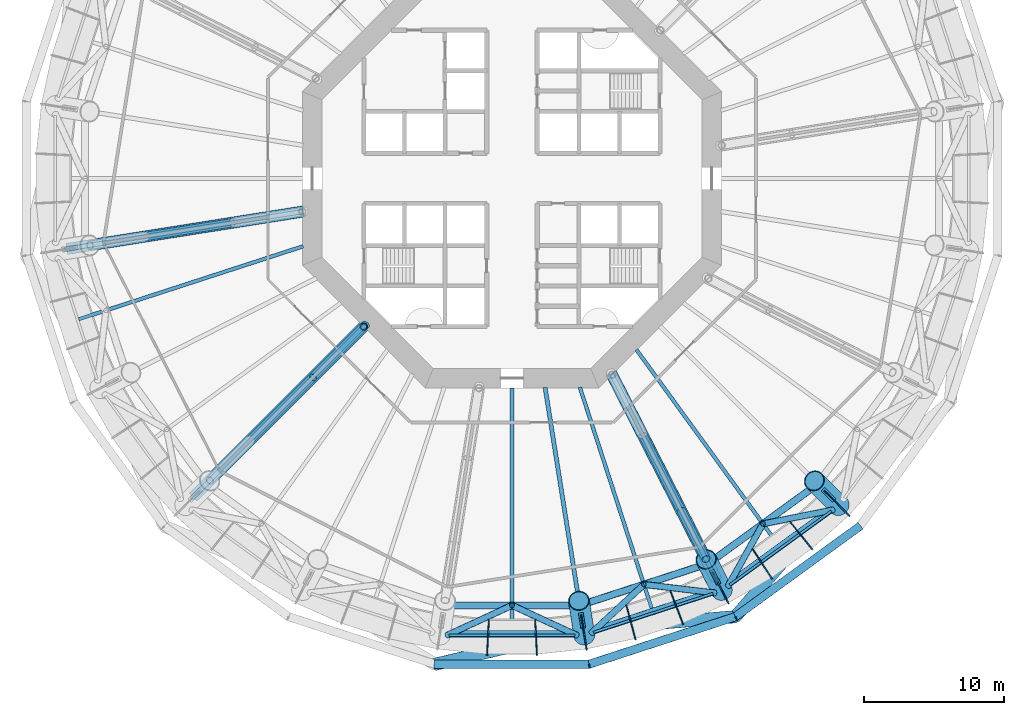
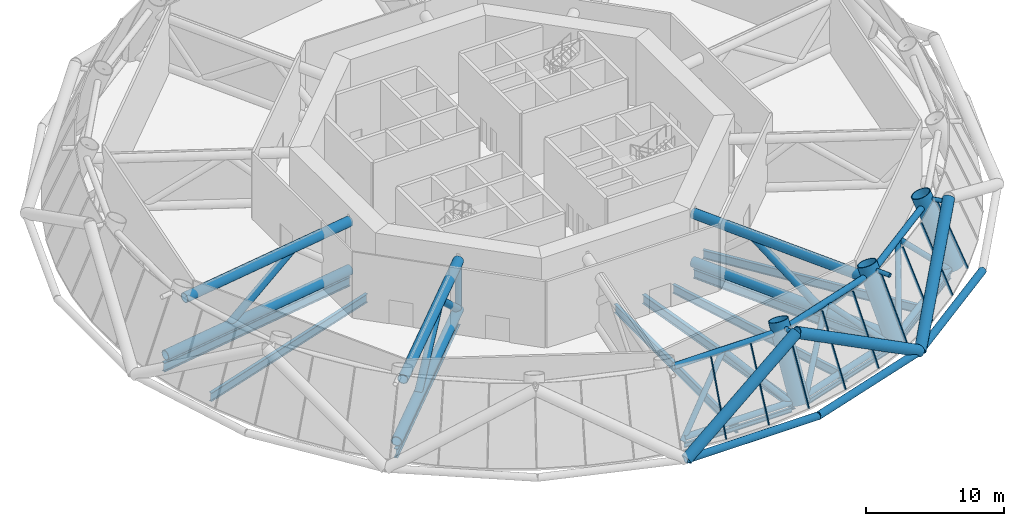
# One storey, part 2 of 14: 45 members, 11 beams, 4 elements without a shape of their own.
"""IFC4 building model written with IfcOpenShell, lengths in metres."""

from ifc_helpers import new_model, si_unit, direction, frame, origin, origin_2d, place, context, subcontext, project, spatial, rectangle, circle, hollow_circle, i_section, extrude, material, layer, layer_set, material_profile, profile_set, type_object, element, aggregate, save


model = new_model("IFC4")

# Units and contexts
model_context = context("Model", 3, precision=1e-05, world=origin(), true_north=direction((0.0, 1.0)))
body_context = subcontext(model_context, "Body", "Model", "MODEL_VIEW")
ifc_project = project(units=[si_unit("LENGTHUNIT", "METRE"), si_unit("AREAUNIT", "SQUARE_METRE"), si_unit("VOLUMEUNIT", "CUBIC_METRE"), si_unit("PLANEANGLEUNIT", "RADIAN"), si_unit("MASSUNIT", "GRAM", prefix="KILO")], contexts=[model_context])

# Site, building, storey
site_placement = place(None, origin())
site = spatial("IfcSite", under=ifc_project, at=site_placement, CompositionType="ELEMENT")
building_placement = place(site_placement, origin())
building = spatial("IfcBuilding", under=site, at=building_placement, Name="Entoto Ring Tower", CompositionType="ELEMENT")
storey_placement = place(building_placement, frame((0.0, 0.0, 74.0)))
storey = spatial("IfcBuildingStorey", under=building, at=storey_placement, Name="L16", CompositionType="ELEMENT", Elevation=74.0)

# Members
ifc_material_1 = material(Name="Steel S355", Category="steel")
ifc_material_profile_1 = material_profile(ifc_material_1, hollow_circle(Radius=0.449951171875, WallThickness=0.044921875, at=origin_2d()), Name="CHS 900 x 45")
ifc_material_2 = material(Name="Concrete C60/75", Category="concrete")
ifc_material_profile_2 = material_profile(ifc_material_2, circle(Radius=0.405029296875, at=origin_2d()), Name="Concrete C60/75 infill")
ifc_profile_set_1 = profile_set([ifc_material_profile_1, ifc_material_profile_2], Name="Steel S355")
member_type_1 = type_object("IfcMemberType", Name="Diagrid diagonal 900 x 45 concrete-filled tube", PredefinedType="BRACE", material=ifc_profile_set_1)
member_1_placement = place(storey_placement, frame((84.493408203125, 45.2333984375, 0.0), z_axis=(0.853390289962, 0.198381662974, 0.482047434175), x_axis=(-0.226425575464, 0.974028469181, 0.0)))
element("IfcMember", 1, at=member_1_placement, inside=storey, type_object=member_type_1, Name="DG2 module 5 16", PredefinedType="BRACE", context=body_context, shape_type="SweptSolid", body=[
    extrude(hollow_circle(Radius=0.449951171875, WallThickness=0.044921875, at=origin_2d()), origin(), (0.0, 0.0, 1.0), 12.447021484375),
])
for number, where, z_axis, x_axis, name in (
    (2, (105.98046875, 48.636474609375, 0.0), (-0.872922129867, -0.075027012712, 0.482055912267), (0.08563354455, -0.996326701463, 0.0), "DG2 module 5 17"),
    (3, (105.98046875, 48.636474609375, 0.0), (0.573788432045, 0.662113366564, 0.482050542027), (-0.755713458536, 0.654902411499, 0.0), "DG2 module 5 18"),
):
    element("IfcMember", number, at=place(storey_placement, frame(where, z_axis=z_axis, x_axis=x_axis)), inside=storey, type_object=member_type_1, Name=name, PredefinedType="BRACE", context=body_context, shape_type="SweptSolid", body=[
        extrude(hollow_circle(Radius=0.449951171875, WallThickness=0.044921875, at=origin_2d()), origin(), (0.0, 0.0, 1.0), 12.44677734375),
    ])
ifc_material_3 = material(Name="Steel S355", Category="steel")
ifc_material_profile_3 = material_profile(ifc_material_3, hollow_circle(Radius=0.177734375, WallThickness=0.01611328125, at=origin_2d()), Name="CHS 355.6 x 16")
ifc_material_4 = material(Name="Concrete C60/75", Category="concrete")
ifc_material_profile_4 = material_profile(ifc_material_4, circle(Radius=0.161865234375, at=origin_2d()), Name="Concrete C60/75 infill")
ifc_profile_set_2 = profile_set([ifc_material_profile_3, ifc_material_profile_4], Name="Steel S355")
member_type_2 = type_object("IfcMemberType", Name="Diagrid node strut 355.6 x 16", PredefinedType="STRUT", material=ifc_profile_set_2)
for number, where, z_axis, x_axis, name in (
    (4, (94.92236328125, 48.9208984375, 5.672119140625), (0.156570806263, -0.98766673662, 0.0), (0.98766673662, 0.156570806263, 0.0), "DS1 strut ring 5 15"),
    (5, (104.28564453125, 51.963134765625, 5.672119140625), (0.453835432876, -0.891085517707, 0.0), (0.891085517707, 0.453835432876, 0.0), "DS1 strut ring 5 16"),
    (6, (112.250244140625, 57.749755859375, 5.672119140625), (0.707106781187, -0.707106781187, 0.0), (0.707106781187, 0.707106781187, 0.0), "DS1 strut ring 5 17"),
):
    element("IfcMember", number, at=place(storey_placement, frame(where, z_axis=z_axis, x_axis=x_axis)), inside=storey, type_object=member_type_2, Name=name, PredefinedType="STRUT", context=body_context, shape_type="SweptSolid", body=[
        extrude(hollow_circle(Radius=0.177734375, WallThickness=0.01611328125, at=origin_2d()), origin(), (0.0, 0.0, 1.0), 1.133544921875),
    ])
ifc_material_5 = material(Name="Steel S355", Category="steel")
ifc_material_profile_5 = material_profile(ifc_material_5, hollow_circle(Radius=0.300048828125, WallThickness=0.030029296875, at=origin_2d()), Name="CHS 600 x 30")
ifc_material_6 = material(Name="Concrete C60/75", Category="concrete")
ifc_material_profile_6 = material_profile(ifc_material_6, circle(Radius=0.27001953125, at=origin_2d()), Name="Concrete C60/75 infill")
ifc_profile_set_3 = profile_set([ifc_material_profile_5, ifc_material_profile_6], Name="Steel S355")
member_type_3 = type_object("IfcMemberType", Name="Diagrid ring beam 600 x 30", PredefinedType="CHORD", material=ifc_profile_set_3)
for number, where, z_axis, x_axis, name in (
    (7, (84.426025390625, 45.2333984375, 0.0), (1.0, 0.0, 0.0), (0.0, 1.0, 0.0), "DR1 ring 4 15"),
    (8, (95.4423828125, 45.21240234375, 0.0), (0.951051931315, 0.309031105137, 0.0), (-0.309031105137, 0.951051931315, 0.0), "DR1 ring 4 16"),
    (9, (105.92578125, 48.596923828125, 0.0), (0.809026721692, 0.587771863556, 0.0), (-0.587771863556, 0.809026721692, 0.0), "DR1 ring 4 17"),
):
    element("IfcMember", number, at=place(storey_placement, frame(where, z_axis=z_axis, x_axis=x_axis)), inside=storey, type_object=member_type_3, Name=name, PredefinedType="CHORD", context=body_context, shape_type="SweptSolid", body=[
        extrude(hollow_circle(Radius=0.300048828125, WallThickness=0.030029296875, at=origin_2d()), origin(), (0.0, 0.0, 1.0), 11.14794921875),
    ])

# Beams
ifc_material_7 = material(Name="Steel S355", Category="steel")
ifc_material_profile_7 = material_profile(ifc_material_7, i_section(OverallWidth=0.179931640625, OverallDepth=0.39990234375, WebThickness=0.008544921875, FlangeThickness=0.013427734375, FilletRadius=0.02099609375, at=origin_2d()), Name="IPE 400")
ifc_profile_set_4 = profile_set([ifc_material_profile_7], Name="Steel S355")
beam_type_1 = type_object("IfcBeamType", Name="Edge beam IPE 400", PredefinedType="SPANDREL", material=ifc_profile_set_4)
for number, where, z_axis, x_axis, name in (
    (10, (85.49609375, 47.3076171875, -0.35009765625), (1.0, 0.0, 0.0), (0.0, 1.0, 0.0), "Edge beam L16 15"),
    (11, (95.819091796875, 47.515869140625, -0.35009765625), (0.951059958455, 0.309006400295, 0.0), (-0.309006400295, 0.951059958455, 0.0), "Edge beam L16 16"),
    (12, (105.572509765625, 50.90380859375, -0.35009765625), (0.80901142547, 0.587792917156, 0.0), (-0.587792917156, 0.80901142547, 0.0), "Edge beam L16 17"),
):
    element("IfcBeam", number, at=place(storey_placement, frame(where, z_axis=z_axis, x_axis=x_axis)), inside=storey, type_object=beam_type_1, Name=name, PredefinedType="SPANDREL", context=body_context, shape_type="SweptSolid", body=[
        extrude(i_section(OverallWidth=0.179931640625, OverallDepth=0.39990234375, WebThickness=0.008544921875, FlangeThickness=0.013427734375, FilletRadius=0.02099609375, at=origin_2d()), origin(), (0.0, 0.0, 1.0), 9.0078125),
    ])

# Curtain wall, members
ifc_material_8 = material(Name="Anodised aluminium", Category="aluminium")
ifc_layer = layer(ifc_material_8, 0.10009765625)
ifc_layer_set = layer_set([ifc_layer], Name="Anodised aluminium")
curtain_wall_type = type_object("IfcCurtainWallType", Name="Louvre curtain wall system CW7", PredefinedType="NOTDEFINED", material=ifc_layer_set)
curtain_wall_1_placement = place(storey_placement, origin())
curtain_wall_1 = element("IfcCurtainWall", 13, at=curtain_wall_1_placement, inside=storey, type_object=curtain_wall_type, Name="CW7 L16-15", PredefinedType="NOTDEFINED")
ifc_material_9 = material(Name="Anodised aluminium", Category="aluminium")
ifc_material_profile_8 = material_profile(ifc_material_9, rectangle(XDim=0.080078125, YDim=0.199951171875, at=origin_2d()), Name="Mullion 80 x 200 mm anodised aluminium")
ifc_profile_set_5 = profile_set([ifc_material_profile_8], Name="Anodised aluminium")
member_type_4 = type_object("IfcMemberType", Name="Mullion 80 x 200 mm anodised aluminium", PredefinedType="MULLION", material=ifc_profile_set_5)
member_2_placement = place(storey_placement, frame((88.2158203125, 45.954345703125, 0.03857421875), z_axis=(0.020104239044, 0.384088559131, 0.923077352293), x_axis=(-0.998632928395, 0.052271161513, 0.0)))
member_2 = element("IfcMember", 14, at=member_2_placement, type_object=member_type_4, Name="MULLION L16-43", PredefinedType="MULLION", context=body_context, shape_type="SweptSolid", body=[
    extrude(rectangle(XDim=0.080078125, YDim=0.199951171875, at=origin_2d()), origin(), (0.0, 0.0, 1.0), 6.25390625),
])
member_3_placement = place(storey_placement, frame((91.7841796875, 45.954345703125, 0.03857421875), z_axis=(-0.020104239044, 0.384088559131, 0.923077352293), x_axis=(-0.998632928395, -0.052271161513, 0.0)))
member_3 = element("IfcMember", 15, at=member_3_placement, type_object=member_type_4, Name="MULLION L16-44", PredefinedType="MULLION", context=body_context, shape_type="SweptSolid", body=[
    extrude(rectangle(XDim=0.080078125, YDim=0.199951171875, at=origin_2d()), origin(), (0.0, 0.0, 1.0), 6.25390625),
])
aggregate(curtain_wall_1, [member_2, member_3])

curtain_wall_2_placement = place(storey_placement, origin())
curtain_wall_2 = element("IfcCurtainWall", 16, at=curtain_wall_2_placement, inside=storey, type_object=curtain_wall_type, Name="CW7 L16-16", PredefinedType="NOTDEFINED")
member_4_placement = place(storey_placement, frame((95.333251953125, 46.327392578125, 0.03857421875), z_axis=(-0.060155863708, 0.379907115901, 0.923066549794), x_axis=(-0.98769457101, -0.15639512268, 0.0)))
member_4 = element("IfcMember", 17, at=member_4_placement, type_object=member_type_4, Name="MULLION L16-45", PredefinedType="MULLION", context=body_context, shape_type="SweptSolid", body=[
    extrude(rectangle(XDim=0.080078125, YDim=0.199951171875, at=origin_2d()), origin(), (0.0, 0.0, 1.0), 6.254150390625),
])
member_5_placement = place(storey_placement, frame((98.82373046875, 47.0693359375, 0.03857421875), z_axis=(-0.099544909119, 0.371517215719, 0.923074086676), x_axis=(-0.965927664957, -0.258812183003, 0.0)))
member_5 = element("IfcMember", 18, at=member_5_placement, type_object=member_type_4, Name="MULLION L16-46", PredefinedType="MULLION", context=body_context, shape_type="SweptSolid", body=[
    extrude(rectangle(XDim=0.080078125, YDim=0.199951171875, at=origin_2d()), origin(), (0.0, 0.0, 1.0), 6.254150390625),
])
member_6_placement = place(storey_placement, frame((102.217529296875, 48.172119140625, 0.03857421875), z_axis=(-0.137840906866, 0.359065607861, 0.92307733893), x_axis=(-0.933573002991, -0.358387287841, 0.0)))
member_6 = element("IfcMember", 19, at=member_6_placement, type_object=member_type_4, Name="MULLION L16-47", PredefinedType="MULLION", context=body_context, shape_type="SweptSolid", body=[
    extrude(rectangle(XDim=0.080078125, YDim=0.199951171875, at=origin_2d()), origin(), (0.0, 0.0, 1.0), 6.25390625),
])
aggregate(curtain_wall_2, [member_4, member_5, member_6])

curtain_wall_3_placement = place(storey_placement, origin())
curtain_wall_3 = element("IfcCurtainWall", 20, at=curtain_wall_3_placement, inside=storey, type_object=curtain_wall_type, Name="CW7 L16-17", PredefinedType="NOTDEFINED")
member_7_placement = place(storey_placement, frame((105.4775390625, 49.62353515625, 0.03857421875), z_axis=(-0.174613111757, 0.342707021712, 0.923072130698), x_axis=(-0.891011611713, -0.453980514773, 0.0)))
member_7 = element("IfcMember", 21, at=member_7_placement, type_object=member_type_4, Name="MULLION L16-48", PredefinedType="MULLION", context=body_context, shape_type="SweptSolid", body=[
    extrude(rectangle(XDim=0.080078125, YDim=0.199951171875, at=origin_2d()), origin(), (0.0, 0.0, 1.0), 6.254150390625),
])
member_8_placement = place(storey_placement, frame((108.568115234375, 51.40771484375, 0.03857421875), z_axis=(-0.20951178694, 0.322563051143, 0.923069818145), x_axis=(-0.838626753611, -0.544706497232, 0.0)))
member_8 = element("IfcMember", 22, at=member_8_placement, type_object=member_type_4, Name="MULLION L16-49", PredefinedType="MULLION", context=body_context, shape_type="SweptSolid", body=[
    extrude(rectangle(XDim=0.080078125, YDim=0.199951171875, at=origin_2d()), origin(), (0.0, 0.0, 1.0), 6.254150390625),
])
member_9_placement = place(storey_placement, frame((111.455078125, 53.50537109375, 0.03857421875), z_axis=(-0.24206864184, 0.298906561936, 0.923069683106), x_axis=(-0.777121953601, -0.629350037127, 0.0)))
member_9 = element("IfcMember", 23, at=member_9_placement, type_object=member_type_4, Name="MULLION L16-50", PredefinedType="MULLION", context=body_context, shape_type="SweptSolid", body=[
    extrude(rectangle(XDim=0.080078125, YDim=0.199951171875, at=origin_2d()), origin(), (0.0, 0.0, 1.0), 6.254150390625),
])
aggregate(curtain_wall_3, [member_7, member_8, member_9])

# Curtain wall, member
curtain_wall_4_placement = place(storey_placement, origin())
curtain_wall_4 = element("IfcCurtainWall", 24, at=curtain_wall_4_placement, inside=storey, type_object=curtain_wall_type, Name="CW7 L16-18", PredefinedType="NOTDEFINED")
member_10_placement = place(storey_placement, frame((114.10693359375, 55.89306640625, 0.03857421875), z_axis=(-0.271971811529, 0.271971811529, 0.923072406405), x_axis=(-0.707106781187, -0.707106781187, 0.0)))
member_10 = element("IfcMember", 25, at=member_10_placement, type_object=member_type_4, Name="MULLION L16-51", PredefinedType="MULLION", context=body_context, shape_type="SweptSolid", body=[
    extrude(rectangle(XDim=0.080078125, YDim=0.199951171875, at=origin_2d()), origin(), (0.0, 0.0, 1.0), 6.254150390625),
])
aggregate(curtain_wall_4, [member_10])

# Members
ifc_material_10 = material(Name="Steel S355", Category="steel")
ifc_material_profile_9 = material_profile(ifc_material_10, hollow_circle(Radius=0.406494140625, WallThickness=0.044921875, at=origin_2d()), Name="CHS 813 x 45")
ifc_material_11 = material(Name="Concrete C60/75", Category="concrete")
ifc_material_profile_10 = material_profile(ifc_material_11, circle(Radius=0.361572265625, at=origin_2d()), Name="Concrete C60/75 infill")
ifc_profile_set_6 = profile_set([ifc_material_profile_9, ifc_material_profile_10], Name="Steel S355")
member_type_5 = type_object("IfcMemberType", Name="Outrigger chord 813 x 45", PredefinedType="CHORD", material=ifc_profile_set_6)
member_11_placement = place(storey_placement, frame((75.083251953125, 77.637451171875, 0.406494140625), z_axis=(-0.987687660853, -0.156438756703, 0.0), x_axis=(0.156438756703, -0.987687660853, 0.0)))
element("IfcMember", 26, at=member_11_placement, inside=storey, type_object=member_type_5, Name="OR1A L16 bottom 06", PredefinedType="CHORD", context=body_context, shape_type="SweptSolid", body=[
    extrude(hollow_circle(Radius=0.406494140625, WallThickness=0.044921875, at=origin_2d()), origin(), (0.0, 0.0, 1.0), 17.165283203125),
])
member_12_placement = place(storey_placement, frame((75.083251953125, 77.637451171875, 4.6904296875), z_axis=(-0.987688332369, -0.156434516979, 0.0), x_axis=(0.156434516979, -0.987688332369, 0.0)))
element("IfcMember", 27, at=member_12_placement, inside=storey, type_object=member_type_5, Name="OR1A L16 top 06", PredefinedType="CHORD", context=body_context, shape_type="SweptSolid", body=[
    extrude(hollow_circle(Radius=0.406494140625, WallThickness=0.044921875, at=origin_2d()), origin(), (0.0, 0.0, 1.0), 15.38037109375),
])
member_13_placement = place(storey_placement, frame((79.407470703125, 69.407470703125, 0.406494140625), z_axis=(-0.707106781187, -0.707106781187, 0.0), x_axis=(0.707106781187, -0.707106781187, 0.0)))
element("IfcMember", 28, at=member_13_placement, inside=storey, type_object=member_type_5, Name="OR1A L16 bottom 07", PredefinedType="CHORD", context=body_context, shape_type="SweptSolid", body=[
    extrude(hollow_circle(Radius=0.406494140625, WallThickness=0.044921875, at=origin_2d()), origin(), (0.0, 0.0, 1.0), 17.287841796875),
])
member_14_placement = place(storey_placement, frame((79.407470703125, 69.407470703125, 4.6904296875), z_axis=(-0.707106781187, -0.707106781187, 0.0), x_axis=(0.707106781187, -0.707106781187, 0.0)))
element("IfcMember", 29, at=member_14_placement, inside=storey, type_object=member_type_5, Name="OR1A L16 top 07", PredefinedType="CHORD", context=body_context, shape_type="SweptSolid", body=[
    extrude(hollow_circle(Radius=0.406494140625, WallThickness=0.044921875, at=origin_2d()), origin(), (0.0, 0.0, 1.0), 15.5029296875),
])
member_15_placement = place(storey_placement, frame((97.09130859375, 66.08251953125, 0.406494140625), z_axis=(0.453993442205, -0.891005024921, 0.0), x_axis=(0.891005024921, 0.453993442205, 0.0)))
element("IfcMember", 30, at=member_15_placement, inside=storey, type_object=member_type_5, Name="OR1A L16 bottom 09", PredefinedType="CHORD", context=body_context, shape_type="SweptSolid", body=[
    extrude(hollow_circle(Radius=0.406494140625, WallThickness=0.044921875, at=origin_2d()), origin(), (0.0, 0.0, 1.0), 16.64794921875),
])
member_16_placement = place(storey_placement, frame((97.09130859375, 66.08251953125, 4.6904296875), z_axis=(0.453988035615, -0.891007779718, 0.0), x_axis=(0.891007779718, 0.453988035615, 0.0)))
element("IfcMember", 31, at=member_16_placement, inside=storey, type_object=member_type_5, Name="OR1A L16 top 09", PredefinedType="CHORD", context=body_context, shape_type="SweptSolid", body=[
    extrude(hollow_circle(Radius=0.406494140625, WallThickness=0.044921875, at=origin_2d()), origin(), (0.0, 0.0, 1.0), 14.86279296875),
])
ifc_material_12 = material(Name="Steel S355", Category="steel")
ifc_material_profile_11 = material_profile(ifc_material_12, hollow_circle(Radius=0.304931640625, WallThickness=0.035888671875, at=origin_2d()), Name="CHS 610 x 36")
ifc_material_13 = material(Name="Concrete C60/75", Category="concrete")
ifc_material_profile_12 = material_profile(ifc_material_13, circle(Radius=0.26904296875, at=origin_2d()), Name="Concrete C60/75 infill")
ifc_profile_set_7 = profile_set([ifc_material_profile_11, ifc_material_profile_12], Name="Steel S355")
member_type_6 = type_object("IfcMemberType", Name="Outrigger diagonal 610 x 36", PredefinedType="BRACE", material=ifc_profile_set_7)
member_17_placement = place(storey_placement, frame((69.992919921875, 76.831298828125, 4.6904296875), z_axis=(-0.815085809965, -0.129099241185, -0.564772970599), x_axis=(0.15643722095, -0.987687904098, 0.0)))
element("IfcMember", 32, at=member_17_placement, inside=storey, type_object=member_type_6, Name="OR2A L16 06 2", PredefinedType="BRACE", context=body_context, shape_type="SweptSolid", body=[
    extrude(hollow_circle(Radius=0.304931640625, WallThickness=0.035888671875, at=origin_2d()), origin(), (0.0, 0.0, 1.0), 7.585205078125),
])
member_18_placement = place(storey_placement, frame((79.54248046875, 69.54248046875, 0.23046875), z_axis=(-0.542827362874, -0.542827362874, 0.640840782278), x_axis=(0.707106781187, -0.707106781187, 0.0)))
element("IfcMember", 33, at=member_18_placement, inside=storey, type_object=member_type_6, Name="OR2A L16 07 1", PredefinedType="BRACE", context=body_context, shape_type="SweptSolid", body=[
    extrude(hollow_circle(Radius=0.304931640625, WallThickness=0.035888671875, at=origin_2d()), origin(), (0.0, 0.0, 1.0), 6.95947265625),
])
member_19_placement = place(storey_placement, frame((75.7646484375, 65.7646484375, 4.6904296875), z_axis=(-0.585366728499, -0.585366728499, -0.560973783997), x_axis=(0.707106781187, -0.707106781187, 0.0)))
element("IfcMember", 34, at=member_19_placement, inside=storey, type_object=member_type_6, Name="OR2A L16 07 2", PredefinedType="BRACE", context=body_context, shape_type="SweptSolid", body=[
    extrude(hollow_circle(Radius=0.304931640625, WallThickness=0.035888671875, at=origin_2d()), origin(), (0.0, 0.0, 1.0), 7.63671875),
])
member_20_placement = place(storey_placement, frame((99.373291015625, 61.603759765625, 4.6904296875), z_axis=(0.370797977683, -0.727753093913, -0.576961258704), x_axis=(0.891011845429, 0.453980056066, 0.0)))
element("IfcMember", 35, at=member_20_placement, inside=storey, type_object=member_type_6, Name="OR2A L16 09 2", PredefinedType="BRACE", context=body_context, shape_type="SweptSolid", body=[
    extrude(hollow_circle(Radius=0.304931640625, WallThickness=0.035888671875, at=origin_2d()), origin(), (0.0, 0.0, 1.0), 7.425048828125),
])
member_21_placement = place(storey_placement, frame((102.12646484375, 56.2001953125, 0.406494140625), z_axis=(0.296051080814, -0.580984805325, 0.758162524483), x_axis=(0.890991302342, 0.454020373057, 0.0)))
element("IfcMember", 36, at=member_21_placement, inside=storey, type_object=member_type_6, Name="OR2A L16 09 3", PredefinedType="BRACE", context=body_context, shape_type="SweptSolid", body=[
    extrude(hollow_circle(Radius=0.304931640625, WallThickness=0.035888671875, at=origin_2d()), origin(), (0.0, 0.0, 1.0), 5.92919921875),
])
ifc_material_14 = material(Name="Steel S355", Category="steel")
ifc_material_profile_13 = material_profile(ifc_material_14, hollow_circle(Radius=0.25390625, WallThickness=0.030029296875, at=origin_2d()), Name="CHS 508 x 30")
ifc_material_15 = material(Name="Concrete C60/75", Category="concrete")
ifc_material_profile_14 = material_profile(ifc_material_15, circle(Radius=0.22412109375, at=origin_2d()), Name="Concrete C60/75 infill")
ifc_profile_set_8 = profile_set([ifc_material_profile_13, ifc_material_profile_14], Name="Steel S355")
member_type_7 = type_object("IfcMemberType", Name="Outrigger post 508 x 30", PredefinedType="POST", material=ifc_profile_set_8)
member_22_placement = place(storey_placement, frame((79.393310546875, 69.393310546875, 0.406494140625), z_axis=(0.0, 0.0, 1.0), x_axis=(1.0, 0.0, 0.0)))
element("IfcMember", 37, at=member_22_placement, inside=storey, type_object=member_type_7, Name="OR3 L16 07", PredefinedType="POST", context=body_context, shape_type="SweptSolid", body=[
    extrude(hollow_circle(Radius=0.25390625, WallThickness=0.030029296875, at=origin_2d()), origin(), (0.0, 0.0, 1.0), 4.283935546875),
])

# Beams
ifc_material_16 = material(Name="Steel S355", Category="steel")
ifc_material_profile_15 = material_profile(ifc_material_16, i_section(OverallWidth=0.300048828125, OverallDepth=0.800048828125, WebThickness=0.017578125, FlangeThickness=0.032958984375, FilletRadius=0.030029296875, at=origin_2d()), Name="HE 800 B")
ifc_profile_set_9 = profile_set([ifc_material_profile_15], Name="Steel S355")
beam_type_2 = type_object("IfcBeamType", Name="Primary floor beam HE 800 B", PredefinedType="BEAM", material=ifc_profile_set_9)
beam_1_placement = place(storey_placement, frame((75.043212890625, 77.631103515625, -0.550048828125), z_axis=(-0.98768775999, -0.156438130794, 0.0), x_axis=(0.156438130794, -0.98768775999, 0.0)))
element("IfcBeam", 38, at=beam_1_placement, inside=storey, type_object=beam_type_2, Name="Primary L16 R11", PredefinedType="BEAM", context=body_context, shape_type="SweptSolid", body=[
    extrude(i_section(OverallWidth=0.300048828125, OverallDepth=0.800048828125, WebThickness=0.017578125, FlangeThickness=0.032958984375, FilletRadius=0.030029296875, at=origin_2d()), origin(), (0.0, 0.0, 1.0), 17.293212890625),
])
beam_2_placement = place(storey_placement, frame((79.407470703125, 69.407470703125, -0.550048828125), z_axis=(-0.707106781187, -0.707106781187, 0.0), x_axis=(0.707106781187, -0.707106781187, 0.0)))
element("IfcBeam", 39, at=beam_2_placement, inside=storey, type_object=beam_type_2, Name="Primary L16 R13", PredefinedType="BEAM", context=body_context, shape_type="SweptSolid", body=[
    extrude(i_section(OverallWidth=0.300048828125, OverallDepth=0.800048828125, WebThickness=0.017578125, FlangeThickness=0.032958984375, FilletRadius=0.030029296875, at=origin_2d()), origin(), (0.0, 0.0, 1.0), 17.456298828125),
])
beam_3_placement = place(storey_placement, frame((92.368896484375, 65.043212890625, -0.550048828125), z_axis=(0.156438130794, -0.98768775999, 0.0), x_axis=(0.98768775999, 0.156438130794, 0.0)))
element("IfcBeam", 40, at=beam_3_placement, inside=storey, type_object=beam_type_2, Name="Primary L16 R16", PredefinedType="BEAM", context=body_context, shape_type="SweptSolid", body=[
    extrude(i_section(OverallWidth=0.300048828125, OverallDepth=0.800048828125, WebThickness=0.017578125, FlangeThickness=0.032958984375, FilletRadius=0.030029296875, at=origin_2d()), origin(), (0.0, 0.0, 1.0), 17.293212890625),
])
beam_4_placement = place(storey_placement, frame((97.129150390625, 66.00830078125, -0.550048828125), z_axis=(0.453988071063, -0.891007761657, 0.0), x_axis=(0.891007761657, 0.453988071063, 0.0)))
element("IfcBeam", 41, at=beam_4_placement, inside=storey, type_object=beam_type_2, Name="Primary L16 R17", PredefinedType="BEAM", context=body_context, shape_type="SweptSolid", body=[
    extrude(i_section(OverallWidth=0.300048828125, OverallDepth=0.800048828125, WebThickness=0.017578125, FlangeThickness=0.032958984375, FilletRadius=0.030029296875, at=origin_2d()), origin(), (0.0, 0.0, 1.0), 16.733154296875),
])

# Members
ifc_material_17 = material(Name="Steel S355", Category="steel")
ifc_material_profile_16 = material_profile(ifc_material_17, hollow_circle(Radius=0.75, WallThickness=0.06494140625, at=origin_2d()), Name="CHS 1500 x 65")
ifc_material_18 = material(Name="Concrete C60/75", Category="concrete")
ifc_material_profile_17 = material_profile(ifc_material_18, circle(Radius=0.68505859375, at=origin_2d()), Name="Concrete C60/75 infill")
ifc_profile_set_10 = profile_set([ifc_material_profile_16, ifc_material_profile_17], Name="Steel S355")
member_type_8 = type_object("IfcMemberType", Name="Ring column jog 1500 x 65 concrete-filled tube", PredefinedType="STRUT", material=ifc_profile_set_10)
for number, where, z_axis, x_axis, name in (
    (42, (95.177978515625, 47.3076171875, 0.0), (-0.06017119764, 0.37988233017, 0.923075751062), (-0.987686835152, -0.156443969736, 0.0), "RJ1B R16"),
    (43, (105.027099609375, 50.507568359375, 0.0), (-0.174616520339, 0.342697597672, 0.923074984698), (-0.891002976909, -0.453997461601, 0.0), "RJ1B R17"),
    (44, (113.4052734375, 56.5947265625, 0.0), (-0.271971397377, 0.271971397377, 0.923072650455), (-0.707106781187, -0.707106781187, 0.0), "RJ1B R18"),
):
    element("IfcMember", number, at=place(storey_placement, frame(where, z_axis=z_axis, x_axis=x_axis)), inside=storey, type_object=member_type_8, Name=name, PredefinedType="STRUT", context=body_context, shape_type="SweptSolid", body=[
        extrude(hollow_circle(Radius=0.75, WallThickness=0.06494140625, at=origin_2d()), origin(), (0.0, 0.0, 1.0), 6.5),
    ])
ifc_material_19 = material(Name="Steel S355", Category="steel")
ifc_material_profile_18 = material_profile(ifc_material_19, hollow_circle(Radius=0.25390625, WallThickness=0.030029296875, at=origin_2d()), Name="CHS 508 x 30")
ifc_material_20 = material(Name="Concrete C60/75", Category="concrete")
ifc_material_profile_19 = material_profile(ifc_material_20, circle(Radius=0.22412109375, at=origin_2d()), Name="Concrete C60/75 infill")
ifc_profile_set_11 = profile_set([ifc_material_profile_18, ifc_material_profile_19], Name="Steel S355")
member_type_9 = type_object("IfcMemberType", Name="Ring truss chord 508 x 30", PredefinedType="CHORD", material=ifc_profile_set_11)
member_23_placement = place(storey_placement, frame((85.526123046875, 47.412109375, 0.25390625), z_axis=(1.0, 0.0, 0.0), x_axis=(0.0, 1.0, 0.0)))
element("IfcMember", 45, at=member_23_placement, inside=storey, type_object=member_type_9, Name="BT1 L16 bottom 15", PredefinedType="CHORD", context=body_context, shape_type="SweptSolid", body=[
    extrude(hollow_circle(Radius=0.25390625, WallThickness=0.030029296875, at=origin_2d()), origin(), (0.0, 0.0, 1.0), 8.94775390625),
])
member_24_placement = place(storey_placement, frame((85.848388671875, 49.44580078125, 5.196044921875), z_axis=(1.0, 0.0, 0.0), x_axis=(0.0, 1.0, 0.0)))
element("IfcMember", 46, at=member_24_placement, inside=storey, type_object=member_type_9, Name="BT1 L16 top 15", PredefinedType="CHORD", context=body_context, shape_type="SweptSolid", body=[
    extrude(hollow_circle(Radius=0.25390625, WallThickness=0.030029296875, at=origin_2d()), origin(), (0.0, 0.0, 1.0), 8.30322265625),
])
member_25_placement = place(storey_placement, frame((95.8154296875, 47.62451171875, 0.25390625), z_axis=(0.951057125849, 0.309015118354, 0.0), x_axis=(-0.309015118354, 0.951057125849, 0.0)))
element("IfcMember", 47, at=member_25_placement, inside=storey, type_object=member_type_9, Name="BT1 L16 bottom 16", PredefinedType="CHORD", context=body_context, shape_type="SweptSolid", body=[
    extrude(hollow_circle(Radius=0.25390625, WallThickness=0.030029296875, at=origin_2d()), origin(), (0.0, 0.0, 1.0), 8.947509765625),
])
member_26_placement = place(storey_placement, frame((95.493408203125, 49.658447265625, 5.196044921875), z_axis=(0.951061075236, 0.309002963044, 0.0), x_axis=(-0.309002963044, 0.951061075236, 0.0)))
element("IfcMember", 48, at=member_26_placement, inside=storey, type_object=member_type_9, Name="BT1 L16 top 16", PredefinedType="CHORD", context=body_context, shape_type="SweptSolid", body=[
    extrude(hollow_circle(Radius=0.25390625, WallThickness=0.030029296875, at=origin_2d()), origin(), (0.0, 0.0, 1.0), 8.302978515625),
])
member_27_placement = place(storey_placement, frame((105.535400390625, 51.006103515625, 0.25390625), z_axis=(0.809016812145, 0.58778550311, 0.0), x_axis=(-0.58778550311, 0.809016812145, 0.0)))
element("IfcMember", 49, at=member_27_placement, inside=storey, type_object=member_type_9, Name="BT1 L16 bottom 17", PredefinedType="CHORD", context=body_context, shape_type="SweptSolid", body=[
    extrude(hollow_circle(Radius=0.25390625, WallThickness=0.030029296875, at=origin_2d()), origin(), (0.0, 0.0, 1.0), 8.947509765625),
])
member_28_placement = place(storey_placement, frame((104.6005859375, 52.8408203125, 5.196044921875), z_axis=(0.809014444899, 0.587788761329, 0.0), x_axis=(-0.587788761329, 0.809014444899, 0.0)))
element("IfcMember", 50, at=member_28_placement, inside=storey, type_object=member_type_9, Name="BT1 L16 top 17", PredefinedType="CHORD", context=body_context, shape_type="SweptSolid", body=[
    extrude(hollow_circle(Radius=0.25390625, WallThickness=0.030029296875, at=origin_2d()), origin(), (0.0, 0.0, 1.0), 8.303466796875),
])
ifc_material_21 = material(Name="Steel S355", Category="steel")
ifc_material_profile_20 = material_profile(ifc_material_21, hollow_circle(Radius=0.228515625, WallThickness=0.02001953125, at=origin_2d()), Name="CHS 457 x 20")
ifc_material_22 = material(Name="Concrete C60/75", Category="concrete")
ifc_material_profile_21 = material_profile(ifc_material_22, circle(Radius=0.20849609375, at=origin_2d()), Name="Concrete C60/75 infill")
ifc_profile_set_12 = profile_set([ifc_material_profile_20, ifc_material_profile_21], Name="Steel S355")
member_type_10 = type_object("IfcMemberType", Name="Ring truss diagonal 457 x 20", PredefinedType="BRACE", material=ifc_profile_set_12)
for number, where, z_axis, x_axis, name in (
    (51, (85.3798828125, 47.31591796875, 0.020263671875), (0.636603289619, 0.293475327554, 0.713167921154), (-0.418656433024, 0.908144697219, 0.0), "BT2 L16 15 a"),
    (52, (90.0, 49.44580078125, 5.196044921875), (0.636603289619, -0.293475327554, -0.713167921154), (0.418656433024, 0.908144697219, 0.0), "BT2 L16 15 b"),
    (53, (95.7060546875, 47.48779296875, 0.020263671875), (0.514724428313, 0.475870319778, 0.713166321171), (-0.678849938429, 0.734277032935, 0.0), "BT2 L16 16 a"),
    (54, (99.441650390625, 50.94140625, 5.196044921875), (0.69613892053, -0.082417142906, -0.713160583514), (0.117570699781, 0.993064514799, 0.0), "BT2 L16 16 b"),
    (55, (105.473388671875, 50.84228515625, 0.020263671875), (0.342516183091, 0.611631235609, 0.713154889171), (-0.872504379351, 0.488606291418, 0.0), "BT2 L16 17 a"),
    (56, (107.959228515625, 55.28125, 5.196044921875), (0.687530308268, 0.13674580209, -0.713163838696), (-0.19507319751, 0.980788686524, 0.0), "BT2 L16 17 b"),
):
    element("IfcMember", number, at=place(storey_placement, frame(where, z_axis=z_axis, x_axis=x_axis)), inside=storey, type_object=member_type_10, Name=name, PredefinedType="BRACE", context=body_context, shape_type="SweptSolid", body=[
        extrude(hollow_circle(Radius=0.228515625, WallThickness=0.02001953125, at=origin_2d()), origin(), (0.0, 0.0, 1.0), 7.257568359375),
    ])

# Beams
ifc_material_23 = material(Name="Steel S355", Category="steel")
ifc_material_profile_22 = material_profile(ifc_material_23, i_section(OverallWidth=0.262939453125, OverallDepth=0.7529296875, WebThickness=0.011474609375, FlangeThickness=0.01708984375, FilletRadius=0.01708984375, at=origin_2d()), Name="IPE 750 x 137")
ifc_profile_set_13 = profile_set([ifc_material_profile_22], Name="Steel S355")
beam_type_3 = type_object("IfcBeamType", Name="Secondary floor beam IPE 750 x 137", PredefinedType="JOIST", material=ifc_profile_set_13)
beam_5_placement = place(storey_placement, frame((75.0595703125, 75.1455078125, -0.526611328125), z_axis=(-0.951057855768, -0.30901287187, 0.0), x_axis=(0.30901287187, -0.951057855768, 0.0)))
element("IfcBeam", 57, at=beam_5_placement, inside=storey, type_object=beam_type_3, Name="Secondary beam L16 11", PredefinedType="JOIST", context=body_context, shape_type="SweptSolid", body=[
    extrude(i_section(OverallWidth=0.262939453125, OverallDepth=0.7529296875, WebThickness=0.011474609375, FlangeThickness=0.01708984375, FilletRadius=0.01708984375, at=origin_2d()), origin(), (0.0, 0.0, 1.0), 16.893310546875),
])
beam_6_placement = place(storey_placement, frame((90.0, 65.02001953125, -0.526611328125), z_axis=(0.0, -1.0, 0.0), x_axis=(1.0, 0.0, 0.0)))
element("IfcBeam", 58, at=beam_6_placement, inside=storey, type_object=beam_type_3, Name="Secondary beam L16 15", PredefinedType="JOIST", context=body_context, shape_type="SweptSolid", body=[
    extrude(i_section(OverallWidth=0.262939453125, OverallDepth=0.7529296875, WebThickness=0.011474609375, FlangeThickness=0.01708984375, FilletRadius=0.01708984375, at=origin_2d()), origin(), (0.0, 0.0, 1.0), 17.62255859375),
])
beam_7_placement = place(storey_placement, frame((94.8544921875, 65.0595703125, -0.526611328125), z_axis=(0.30901287187, -0.951057855768, 0.0), x_axis=(0.951057855768, 0.30901287187, 0.0)))
element("IfcBeam", 59, at=beam_7_placement, inside=storey, type_object=beam_type_3, Name="Secondary beam L16 16", PredefinedType="JOIST", context=body_context, shape_type="SweptSolid", body=[
    extrude(i_section(OverallWidth=0.262939453125, OverallDepth=0.7529296875, WebThickness=0.011474609375, FlangeThickness=0.01708984375, FilletRadius=0.01708984375, at=origin_2d()), origin(), (0.0, 0.0, 1.0), 16.893310546875),
])
beam_8_placement = place(storey_placement, frame((98.902587890625, 67.74658203125, -0.526611328125), z_axis=(0.58778910532, -0.809014194973, 0.0), x_axis=(0.809014194973, 0.58778910532, 0.0)))
element("IfcBeam", 60, at=beam_8_placement, inside=storey, type_object=beam_type_3, Name="Secondary beam L16 17", PredefinedType="JOIST", context=body_context, shape_type="SweptSolid", body=[
    extrude(i_section(OverallWidth=0.262939453125, OverallDepth=0.7529296875, WebThickness=0.011474609375, FlangeThickness=0.01708984375, FilletRadius=0.01708984375, at=origin_2d()), origin(), (0.0, 0.0, 1.0), 17.45654296875),
])

save(model, "model.ifc")
